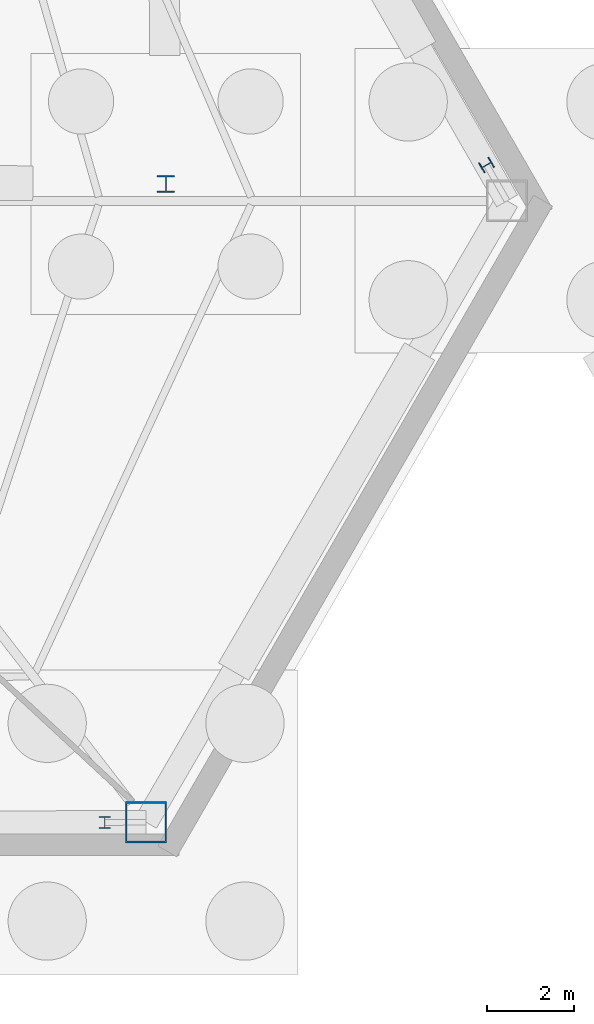
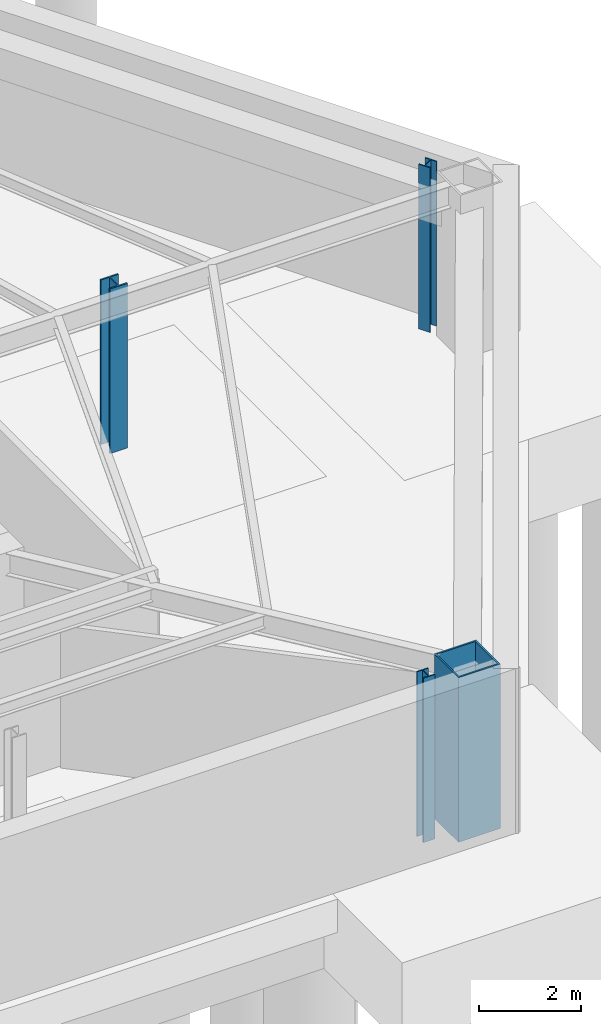
# One storey, part 4 of 11: 4 columns.
"""IFC4 building model written with IfcOpenShell, lengths in metres."""

from ifc_helpers import new_model, si_unit, direction, frame, origin, origin_2d, place, context, subcontext, project, spatial, hollow_rectangle, i_section, extrude, material, material_profile, profile_set, type_object, element, save


model = new_model("IFC4")

# Units and contexts
model_context = context("Model", 3, precision=1e-05, world=origin(), true_north=direction((0.0, 1.0)))
body_context = subcontext(model_context, "Body", "Model", "MODEL_VIEW")
ifc_project = project(units=[si_unit("LENGTHUNIT", "METRE"), si_unit("AREAUNIT", "SQUARE_METRE"), si_unit("VOLUMEUNIT", "CUBIC_METRE"), si_unit("PLANEANGLEUNIT", "RADIAN"), si_unit("MASSUNIT", "GRAM", prefix="KILO")], contexts=[model_context])

# Site, building, storey
site_placement = place(None, origin())
site = spatial("IfcSite", under=ifc_project, at=site_placement, CompositionType="ELEMENT")
building_placement = place(site_placement, origin())
building = spatial("IfcBuilding", under=site, at=building_placement, Name="Kavelnor Concourse Tower", CompositionType="ELEMENT")
storey_placement = place(building_placement, frame((0.0, 0.0, -8.39990234375)))
storey = spatial("IfcBuildingStorey", under=building, at=storey_placement, Name="B02", CompositionType="ELEMENT", Elevation=-8.39990234375)

# Columns
ifc_material = material(Name="Steel Grade 350", Category="steel")
ifc_material_profile_1 = material_profile(ifc_material, i_section(OverallWidth=0.39892578125, OverallDepth=0.39404296875, WebThickness=0.022705078125, FlangeThickness=0.03662109375, at=origin_2d()), Name="UC 356x406x287")
ifc_profile_set_1 = profile_set([ifc_material_profile_1], Name="Steel Grade 350")
column_type_1 = type_object("IfcColumnType", Name="COL-INT-UC406", PredefinedType="COLUMN", material=ifc_profile_set_1)
column_1_placement = place(storey_placement, frame((54.199951171875, 16.0, 0.0), z_axis=(0.0, 0.0, 1.0), x_axis=(1.0, 0.0, 0.0)))
element("IfcColumn", 1, at=column_1_placement, inside=storey, type_object=column_type_1, Name="B02 Interior Column BC-E1", PredefinedType="COLUMN", context=body_context, shape_type="SweptSolid", body=[
    extrude(i_section(OverallWidth=0.39892578125, OverallDepth=0.39404296875, WebThickness=0.022705078125, FlangeThickness=0.03662109375, at=origin_2d()), origin(), (0.0, 0.0, 1.0), 3.949951171875),
])
ifc_material_profile_2 = material_profile(ifc_material, hollow_rectangle(XDim=0.949951171875, YDim=0.949951171875, WallThickness=0.0400390625, at=origin_2d()), Name="SHS 950x950x40")
ifc_profile_set_2 = profile_set([ifc_material_profile_2], Name="Steel Grade 350")
column_type_2 = type_object("IfcColumnType", Name="COL-MEGA-950", PredefinedType="COLUMN", material=ifc_profile_set_2)
column_2_placement = place(storey_placement, frame((53.74560546875, 1.317626953125, 0.0), z_axis=(0.0, 0.0, 1.0), x_axis=(1.0, 0.0, 0.0)))
element("IfcColumn", 2, at=column_2_placement, inside=storey, type_object=column_type_2, Name="B02 Perimeter Mega Column MC-V4", PredefinedType="COLUMN", context=body_context, shape_type="SweptSolid", body=[
    extrude(hollow_rectangle(XDim=0.949951171875, YDim=0.949951171875, WallThickness=0.0400390625, at=origin_2d()), origin(), (0.0, 0.0, 1.0), 3.949951171875),
])
ifc_material_profile_3 = material_profile(ifc_material, i_section(OverallWidth=0.260986328125, OverallDepth=0.27587890625, WebThickness=0.015380859375, FlangeThickness=0.025390625, at=origin_2d()), Name="UC 254x254x132")
ifc_profile_set_3 = profile_set([ifc_material_profile_3], Name="Steel Grade 350")
column_type_3 = type_object("IfcColumnType", Name="COL-PILASTER-250", PredefinedType="PILASTER", material=ifc_profile_set_3)
for number, where, z_axis, x_axis, name in (
    (3, (52.79541015625, 1.3125, 0.0), (0.0, 0.0, 1.0), (0.999985363169, 0.005410494284, 0.0), "B02 Brick Pier Stiffener Pilaster F1-B"),
    (4, (61.578125, 16.437255859375, 0.0), (0.0, 0.0, 1.0), (-0.497579654441, 0.867418288651, 0.0), "B02 Brick Pier Stiffener Pilaster F2-A"),
):
    element("IfcColumn", number, at=place(storey_placement, frame(where, z_axis=z_axis, x_axis=x_axis)), inside=storey, type_object=column_type_3, Name=name, PredefinedType="PILASTER", context=body_context, shape_type="SweptSolid", body=[
        extrude(i_section(OverallWidth=0.260986328125, OverallDepth=0.27587890625, WebThickness=0.015380859375, FlangeThickness=0.025390625, at=origin_2d()), origin(), (0.0, 0.0, 1.0), 3.949951171875),
    ])

save(model, "model.ifc")
